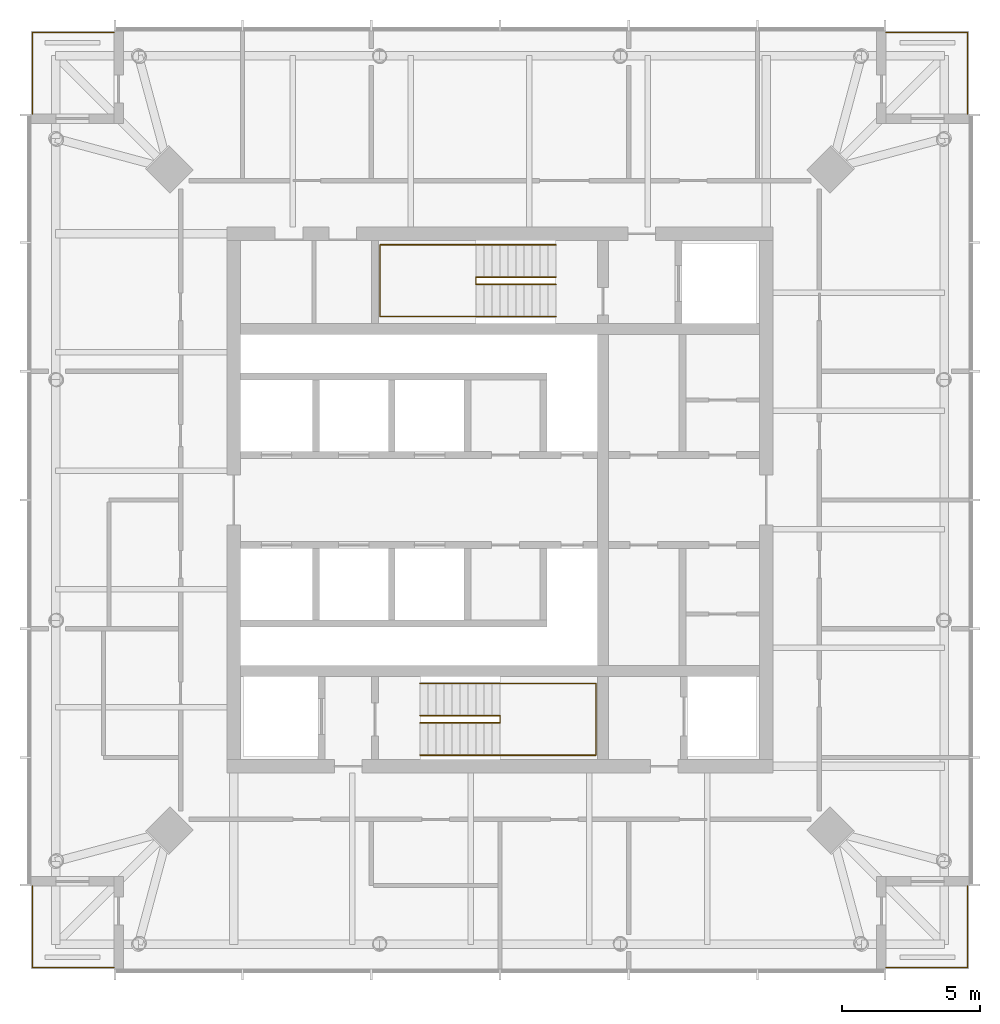
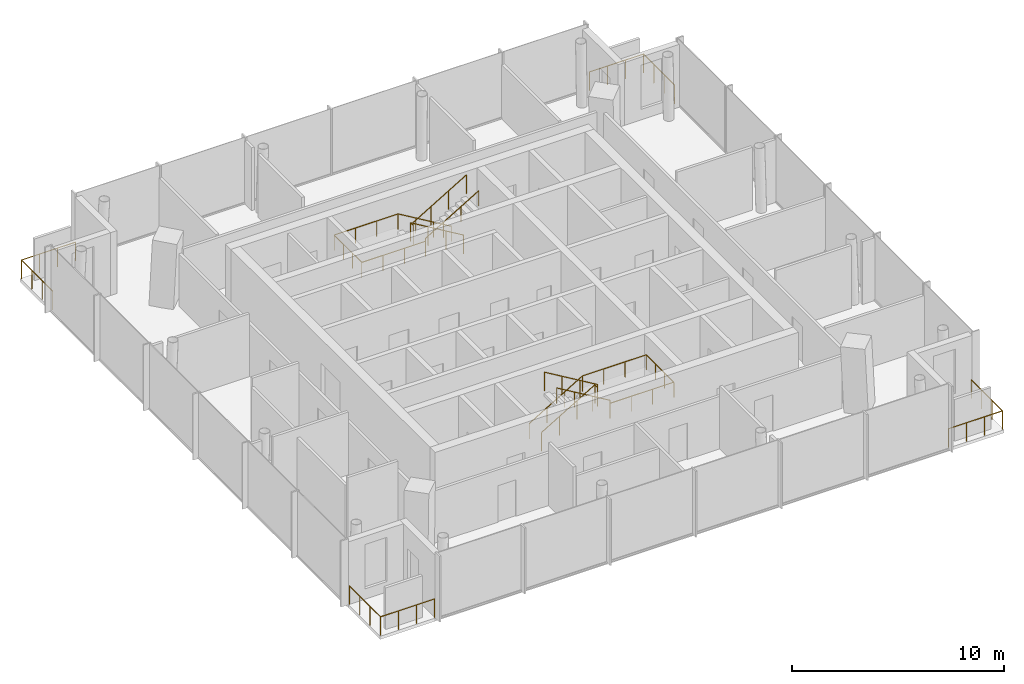
# One storey, part 7 of 7: 8 railings.
"""IFC4 building model written with IfcOpenShell, lengths in metres."""

from ifc_helpers import new_model, si_unit, direction, frame, origin, origin_2d, place, context, subcontext, project, spatial, circle, extrude, material, type_object, element, save


model = new_model("IFC4")

# Units and contexts
model_context = context("Model", 3, precision=1e-05, world=origin(), true_north=direction((0.0, 1.0)))
body_context = subcontext(model_context, "Body", "Model", "MODEL_VIEW")
ifc_project = project(units=[si_unit("LENGTHUNIT", "METRE"), si_unit("AREAUNIT", "SQUARE_METRE"), si_unit("VOLUMEUNIT", "CUBIC_METRE"), si_unit("PLANEANGLEUNIT", "RADIAN"), si_unit("MASSUNIT", "GRAM", prefix="KILO")], contexts=[model_context])

# Site, building, storey
site_placement = place(None, origin())
site = spatial("IfcSite", under=ifc_project, at=site_placement, CompositionType="ELEMENT")
building_placement = place(site_placement, origin())
building = spatial("IfcBuilding", under=site, at=building_placement, Name="Ostroluk Exchange", CompositionType="ELEMENT")
storey_placement = place(building_placement, frame((0.0, 0.0, 268.0)))
storey = spatial("IfcBuildingStorey", under=building, at=storey_placement, Name="L69", CompositionType="ELEMENT", Elevation=268.0)

# Railings
ifc_material_1 = material(Name="Stainless steel", Category="steel")
railing_type_1 = type_object("IfcRailingType", Name="Guard 1100 stainless steel", PredefinedType="GUARDRAIL", material=ifc_material_1)
railing_1_placement = place(storey_placement, frame((59.0, 29.050048828125, 0.0)))
element("IfcRailing", 1, at=railing_1_placement, inside=storey, type_object=railing_type_1, Name="Office tower SE balcony guard L69", PredefinedType="GUARDRAIL", context=body_context, shape_type="SweptSolid", body=[
    extrude(circle(Radius=0.02392578125, at=origin_2d()), frame((0.0, 0.0, 1.076171875), z_axis=(1.0, 0.0, 0.0), x_axis=(0.0, 1.0, 0.0)), (0.0, 0.0, 1.0), 2.949951171875),
    extrude(circle(Radius=0.02392578125, at=origin_2d()), frame((2.949951171875, 0.0, 1.076171875), z_axis=(0.0, 1.0, 0.0), x_axis=(-1.0, 0.0, 0.0)), (0.0, 0.0, 1.0), 2.949951171875),
    extrude(circle(Radius=0.02099609375, at=origin_2d()), origin(), (0.0, 0.0, 1.0), 1.052001953125),
    extrude(circle(Radius=0.02099609375, at=origin_2d()), frame((0.9833984375, 0.0, 0.0)), (0.0, 0.0, 1.0), 1.052001953125),
    extrude(circle(Radius=0.02099609375, at=origin_2d()), frame((1.966552734375, 0.0, 0.0)), (0.0, 0.0, 1.0), 1.052001953125),
    extrude(circle(Radius=0.02099609375, at=origin_2d()), frame((2.949951171875, 0.0, 0.0)), (0.0, 0.0, 1.0), 1.052001953125),
    extrude(circle(Radius=0.02099609375, at=origin_2d()), frame((2.949951171875, 0.9833984375, 0.0)), (0.0, 0.0, 1.0), 1.052001953125),
    extrude(circle(Radius=0.02099609375, at=origin_2d()), frame((2.949951171875, 1.966552734375, 0.0)), (0.0, 0.0, 1.0), 1.052001953125),
    extrude(circle(Radius=0.02099609375, at=origin_2d()), frame((2.949951171875, 2.949951171875, 0.0)), (0.0, 0.0, 1.0), 1.052001953125),
])
railing_2_placement = place(storey_placement, frame((59.0, 62.949951171875, 0.0)))
element("IfcRailing", 2, at=railing_2_placement, inside=storey, type_object=railing_type_1, Name="Office tower NE balcony guard L69", PredefinedType="GUARDRAIL", context=body_context, shape_type="SweptSolid", body=[
    extrude(circle(Radius=0.02392578125, at=origin_2d()), frame((0.0, 0.0, 1.076171875), z_axis=(1.0, 0.0, 0.0), x_axis=(0.0, 1.0, 0.0)), (0.0, 0.0, 1.0), 2.949951171875),
    extrude(circle(Radius=0.02392578125, at=origin_2d()), frame((2.949951171875, 0.0, 1.076171875), z_axis=(0.0, -1.0, 0.0), x_axis=(1.0, 0.0, 0.0)), (0.0, 0.0, 1.0), 2.949951171875),
    extrude(circle(Radius=0.02099609375, at=origin_2d()), origin(), (0.0, 0.0, 1.0), 1.052001953125),
    extrude(circle(Radius=0.02099609375, at=origin_2d()), frame((0.9833984375, 0.0, 0.0)), (0.0, 0.0, 1.0), 1.052001953125),
    extrude(circle(Radius=0.02099609375, at=origin_2d()), frame((1.966552734375, 0.0, 0.0)), (0.0, 0.0, 1.0), 1.052001953125),
    extrude(circle(Radius=0.02099609375, at=origin_2d()), frame((2.949951171875, 0.0, 0.0)), (0.0, 0.0, 1.0), 1.052001953125),
    extrude(circle(Radius=0.02099609375, at=origin_2d()), frame((2.949951171875, -0.9833984375, 0.0)), (0.0, 0.0, 1.0), 1.052001953125),
    extrude(circle(Radius=0.02099609375, at=origin_2d()), frame((2.949951171875, -1.966552734375, 0.0)), (0.0, 0.0, 1.0), 1.052001953125),
    extrude(circle(Radius=0.02099609375, at=origin_2d()), frame((2.949951171875, -2.949951171875, 0.0)), (0.0, 0.0, 1.0), 1.052001953125),
])
railing_3_placement = place(storey_placement, frame((31.0, 62.949951171875, 0.0)))
element("IfcRailing", 3, at=railing_3_placement, inside=storey, type_object=railing_type_1, Name="Office tower NW balcony guard L69", PredefinedType="GUARDRAIL", context=body_context, shape_type="SweptSolid", body=[
    extrude(circle(Radius=0.02392578125, at=origin_2d()), frame((0.0, 0.0, 1.076171875), z_axis=(-1.0, 0.0, 0.0), x_axis=(0.0, -1.0, 0.0)), (0.0, 0.0, 1.0), 2.949951171875),
    extrude(circle(Radius=0.02392578125, at=origin_2d()), frame((-2.949951171875, 0.0, 1.076171875), z_axis=(0.0, -1.0, 0.0), x_axis=(1.0, 0.0, 0.0)), (0.0, 0.0, 1.0), 2.949951171875),
    extrude(circle(Radius=0.02099609375, at=origin_2d()), origin(), (0.0, 0.0, 1.0), 1.052001953125),
    extrude(circle(Radius=0.02099609375, at=origin_2d()), frame((-0.9833984375, 0.0, 0.0)), (0.0, 0.0, 1.0), 1.052001953125),
    extrude(circle(Radius=0.02099609375, at=origin_2d()), frame((-1.966552734375, 0.0, 0.0)), (0.0, 0.0, 1.0), 1.052001953125),
    extrude(circle(Radius=0.02099609375, at=origin_2d()), frame((-2.949951171875, 0.0, 0.0)), (0.0, 0.0, 1.0), 1.052001953125),
    extrude(circle(Radius=0.02099609375, at=origin_2d()), frame((-2.949951171875, -0.9833984375, 0.0)), (0.0, 0.0, 1.0), 1.052001953125),
    extrude(circle(Radius=0.02099609375, at=origin_2d()), frame((-2.949951171875, -1.966552734375, 0.0)), (0.0, 0.0, 1.0), 1.052001953125),
    extrude(circle(Radius=0.02099609375, at=origin_2d()), frame((-2.949951171875, -2.949951171875, 0.0)), (0.0, 0.0, 1.0), 1.052001953125),
])
railing_4_placement = place(storey_placement, frame((31.0, 29.050048828125, 0.0)))
element("IfcRailing", 4, at=railing_4_placement, inside=storey, type_object=railing_type_1, Name="Office tower SW balcony guard L69", PredefinedType="GUARDRAIL", context=body_context, shape_type="SweptSolid", body=[
    extrude(circle(Radius=0.02392578125, at=origin_2d()), frame((0.0, 0.0, 1.076171875), z_axis=(-1.0, 0.0, 0.0), x_axis=(0.0, -1.0, 0.0)), (0.0, 0.0, 1.0), 2.949951171875),
    extrude(circle(Radius=0.02392578125, at=origin_2d()), frame((-2.949951171875, 0.0, 1.076171875), z_axis=(0.0, 1.0, 0.0), x_axis=(-1.0, 0.0, 0.0)), (0.0, 0.0, 1.0), 2.949951171875),
    extrude(circle(Radius=0.02099609375, at=origin_2d()), origin(), (0.0, 0.0, 1.0), 1.052001953125),
    extrude(circle(Radius=0.02099609375, at=origin_2d()), frame((-0.9833984375, 0.0, 0.0)), (0.0, 0.0, 1.0), 1.052001953125),
    extrude(circle(Radius=0.02099609375, at=origin_2d()), frame((-1.966552734375, 0.0, 0.0)), (0.0, 0.0, 1.0), 1.052001953125),
    extrude(circle(Radius=0.02099609375, at=origin_2d()), frame((-2.949951171875, 0.0, 0.0)), (0.0, 0.0, 1.0), 1.052001953125),
    extrude(circle(Radius=0.02099609375, at=origin_2d()), frame((-2.949951171875, 0.9833984375, 0.0)), (0.0, 0.0, 1.0), 1.052001953125),
    extrude(circle(Radius=0.02099609375, at=origin_2d()), frame((-2.949951171875, 1.966552734375, 0.0)), (0.0, 0.0, 1.0), 1.052001953125),
    extrude(circle(Radius=0.02099609375, at=origin_2d()), frame((-2.949951171875, 2.949951171875, 0.0)), (0.0, 0.0, 1.0), 1.052001953125),
])
ifc_material_2 = material(Name="Steel S355", Category="steel")
railing_type_2 = type_object("IfcRailingType", Name="Stair guard 1100", PredefinedType="GUARDRAIL", material=ifc_material_2)
railing_5_placement = place(storey_placement, frame((42.10009765625, 38.179931640625, 0.172607421875)))
element("IfcRailing", 5, at=railing_5_placement, inside=storey, type_object=railing_type_2, Name="Stair T1-S1 guard L69", PredefinedType="GUARDRAIL", context=body_context, shape_type="SweptSolid", body=[
    extrude(circle(Radius=0.02392578125, at=origin_2d()), frame((0.0, 0.0, 1.076171875), z_axis=(0.859141464434, 0.0, 0.511738159696), x_axis=(0.0, 1.0, 0.0)), (0.0, 0.0, 1.0), 3.375244140625),
    extrude(circle(Radius=0.02392578125, at=origin_2d()), frame((2.89990234375, 0.0, 2.80322265625), z_axis=(0.0, -1.0, 0.0), x_axis=(1.0, 0.0, 0.0)), (0.0, 0.0, 1.0), 0.260009765625),
    extrude(circle(Radius=0.02392578125, at=origin_2d()), frame((2.89990234375, -0.260009765625, 2.80322265625), z_axis=(0.0, 0.0, 1.0), x_axis=(1.0, 0.0, 0.0)), (0.0, 0.0, 1.0), 0.1728515625),
    extrude(circle(Radius=0.02392578125, at=origin_2d()), frame((2.89990234375, -0.260009765625, 2.97607421875), z_axis=(-0.859141464434, 0.0, 0.511738159696), x_axis=(0.0, -1.0, 0.0)), (0.0, 0.0, 1.0), 3.375244140625),
    extrude(circle(Radius=0.02099609375, at=origin_2d()), origin(), (0.0, 0.0, 1.0), 1.052001953125),
    extrude(circle(Radius=0.02099609375, at=origin_2d()), frame((0.966552734375, 0.0, 0.57568359375)), (0.0, 0.0, 1.0), 1.052001953125),
    extrude(circle(Radius=0.02099609375, at=origin_2d()), frame((1.933349609375, 0.0, 1.151611328125)), (0.0, 0.0, 1.0), 1.052001953125),
    extrude(circle(Radius=0.02099609375, at=origin_2d()), frame((2.89990234375, 0.0, 1.727294921875)), (0.0, 0.0, 1.0), 1.052001953125),
    extrude(circle(Radius=0.02099609375, at=origin_2d()), frame((2.89990234375, -0.260009765625, 1.727294921875)), (0.0, 0.0, 1.0), 1.052001953125),
    extrude(circle(Radius=0.02099609375, at=origin_2d()), frame((2.89990234375, -0.260009765625, 1.900146484375)), (0.0, 0.0, 1.0), 1.052001953125),
    extrude(circle(Radius=0.02099609375, at=origin_2d()), frame((1.933349609375, -0.260009765625, 2.475830078125)), (0.0, 0.0, 1.0), 1.052001953125),
    extrude(circle(Radius=0.02099609375, at=origin_2d()), frame((0.966552734375, -0.260009765625, 3.0517578125)), (0.0, 0.0, 1.0), 1.052001953125),
    extrude(circle(Radius=0.02099609375, at=origin_2d()), frame((0.0, -0.260009765625, 3.62744140625)), (0.0, 0.0, 1.0), 1.052001953125),
])
railing_6_placement = place(storey_placement, frame((47.030029296875, 54.080078125, 0.172607421875)))
element("IfcRailing", 6, at=railing_6_placement, inside=storey, type_object=railing_type_2, Name="Stair T1-S2 guard L69", PredefinedType="GUARDRAIL", context=body_context, shape_type="SweptSolid", body=[
    extrude(circle(Radius=0.02392578125, at=origin_2d()), frame((0.0, 0.0, 1.076171875), z_axis=(-0.859160404282, 0.0, 0.51170636083), x_axis=(0.0, -1.0, 0.0)), (0.0, 0.0, 1.0), 3.37548828125),
    extrude(circle(Radius=0.02392578125, at=origin_2d()), frame((-2.900146484375, 0.0, 2.80322265625), z_axis=(0.0, -1.0, 0.0), x_axis=(1.0, 0.0, 0.0)), (0.0, 0.0, 1.0), 0.260009765625),
    extrude(circle(Radius=0.02392578125, at=origin_2d()), frame((-2.900146484375, -0.260009765625, 2.80322265625), z_axis=(0.0, 0.0, 1.0), x_axis=(1.0, 0.0, 0.0)), (0.0, 0.0, 1.0), 0.1728515625),
    extrude(circle(Radius=0.02392578125, at=origin_2d()), frame((-2.900146484375, -0.260009765625, 2.97607421875), z_axis=(0.859160404282, 0.0, 0.51170636083), x_axis=(0.0, 1.0, 0.0)), (0.0, 0.0, 1.0), 3.37548828125),
    extrude(circle(Radius=0.02099609375, at=origin_2d()), origin(), (0.0, 0.0, 1.0), 1.052001953125),
    extrude(circle(Radius=0.02099609375, at=origin_2d()), frame((-0.966796875, 0.0, 0.57568359375)), (0.0, 0.0, 1.0), 1.052001953125),
    extrude(circle(Radius=0.02099609375, at=origin_2d()), frame((-1.933349609375, 0.0, 1.151611328125)), (0.0, 0.0, 1.0), 1.052001953125),
    extrude(circle(Radius=0.02099609375, at=origin_2d()), frame((-2.900146484375, 0.0, 1.727294921875)), (0.0, 0.0, 1.0), 1.052001953125),
    extrude(circle(Radius=0.02099609375, at=origin_2d()), frame((-2.900146484375, -0.260009765625, 1.727294921875)), (0.0, 0.0, 1.0), 1.052001953125),
    extrude(circle(Radius=0.02099609375, at=origin_2d()), frame((-2.900146484375, -0.260009765625, 1.900146484375)), (0.0, 0.0, 1.0), 1.052001953125),
    extrude(circle(Radius=0.02099609375, at=origin_2d()), frame((-1.933349609375, -0.260009765625, 2.475830078125)), (0.0, 0.0, 1.0), 1.052001953125),
    extrude(circle(Radius=0.02099609375, at=origin_2d()), frame((-0.966796875, -0.260009765625, 3.0517578125)), (0.0, 0.0, 1.0), 1.052001953125),
    extrude(circle(Radius=0.02099609375, at=origin_2d()), frame((0.0, -0.260009765625, 3.62744140625)), (0.0, 0.0, 1.0), 1.052001953125),
])
ifc_material_3 = material(Name="Stainless steel", Category="steel")
railing_type_3 = type_object("IfcRailingType", Name="Stair handrail 900", PredefinedType="HANDRAIL", material=ifc_material_3)
railing_7_placement = place(storey_placement, frame((42.10009765625, 39.35009765625, 0.172607421875)))
element("IfcRailing", 7, at=railing_7_placement, inside=storey, type_object=railing_type_3, Name="Stair T1-S1 handrail L69", PredefinedType="HANDRAIL", context=body_context, shape_type="SweptSolid", body=[
    extrude(circle(Radius=0.02392578125, at=origin_2d()), frame((0.0, 0.0, 0.8759765625), z_axis=(0.859141464434, 0.0, 0.511738159696), x_axis=(0.0, 1.0, 0.0)), (0.0, 0.0, 1.0), 3.375244140625),
    extrude(circle(Radius=0.02392578125, at=origin_2d()), frame((2.89990234375, 0.0, 2.60302734375), z_axis=(1.0, 0.0, 0.0), x_axis=(0.0, 1.0, 0.0)), (0.0, 0.0, 1.0), 3.47998046875),
    extrude(circle(Radius=0.02392578125, at=origin_2d()), frame((6.3798828125, 0.0, 2.60302734375), z_axis=(0.0, -1.0, 0.0), x_axis=(1.0, 0.0, 0.0)), (0.0, 0.0, 1.0), 2.60009765625),
    extrude(circle(Radius=0.02392578125, at=origin_2d()), frame((6.3798828125, -2.60009765625, 2.60302734375), z_axis=(-1.0, 0.0, 0.0), x_axis=(0.0, -1.0, 0.0)), (0.0, 0.0, 1.0), 3.47998046875),
    extrude(circle(Radius=0.02392578125, at=origin_2d()), frame((2.89990234375, -2.60009765625, 2.60302734375), z_axis=(0.0, 0.0, 1.0), x_axis=(1.0, 0.0, 0.0)), (0.0, 0.0, 1.0), 0.1728515625),
    extrude(circle(Radius=0.02392578125, at=origin_2d()), frame((2.89990234375, -2.60009765625, 2.77587890625), z_axis=(-0.859141464434, 0.0, 0.511738159696), x_axis=(0.0, -1.0, 0.0)), (0.0, 0.0, 1.0), 3.375244140625),
    extrude(circle(Radius=0.02099609375, at=origin_2d()), origin(), (0.0, 0.0, 1.0), 0.851806640625),
    extrude(circle(Radius=0.02099609375, at=origin_2d()), frame((0.966552734375, 0.0, 0.57568359375)), (0.0, 0.0, 1.0), 0.851806640625),
    extrude(circle(Radius=0.02099609375, at=origin_2d()), frame((1.933349609375, 0.0, 1.151611328125)), (0.0, 0.0, 1.0), 0.851806640625),
    extrude(circle(Radius=0.02099609375, at=origin_2d()), frame((2.89990234375, 0.0, 1.727294921875)), (0.0, 0.0, 1.0), 0.851806640625),
    extrude(circle(Radius=0.02099609375, at=origin_2d()), frame((4.059814453125, 0.0, 1.727294921875)), (0.0, 0.0, 1.0), 0.851806640625),
    extrude(circle(Radius=0.02099609375, at=origin_2d()), frame((5.219970703125, 0.0, 1.727294921875)), (0.0, 0.0, 1.0), 0.851806640625),
    extrude(circle(Radius=0.02099609375, at=origin_2d()), frame((6.3798828125, 0.0, 1.727294921875)), (0.0, 0.0, 1.0), 0.851806640625),
    extrude(circle(Radius=0.02099609375, at=origin_2d()), frame((6.3798828125, -0.86669921875, 1.727294921875)), (0.0, 0.0, 1.0), 0.851806640625),
    extrude(circle(Radius=0.02099609375, at=origin_2d()), frame((6.3798828125, -1.7333984375, 1.727294921875)), (0.0, 0.0, 1.0), 0.851806640625),
    extrude(circle(Radius=0.02099609375, at=origin_2d()), frame((6.3798828125, -2.60009765625, 1.727294921875)), (0.0, 0.0, 1.0), 0.851806640625),
    extrude(circle(Radius=0.02099609375, at=origin_2d()), frame((5.219970703125, -2.60009765625, 1.727294921875)), (0.0, 0.0, 1.0), 0.851806640625),
    extrude(circle(Radius=0.02099609375, at=origin_2d()), frame((4.059814453125, -2.60009765625, 1.727294921875)), (0.0, 0.0, 1.0), 0.851806640625),
    extrude(circle(Radius=0.02099609375, at=origin_2d()), frame((2.89990234375, -2.60009765625, 1.727294921875)), (0.0, 0.0, 1.0), 0.851806640625),
    extrude(circle(Radius=0.02099609375, at=origin_2d()), frame((2.89990234375, -2.60009765625, 1.900146484375)), (0.0, 0.0, 1.0), 0.851806640625),
    extrude(circle(Radius=0.02099609375, at=origin_2d()), frame((1.933349609375, -2.60009765625, 2.475830078125)), (0.0, 0.0, 1.0), 0.851806640625),
    extrude(circle(Radius=0.02099609375, at=origin_2d()), frame((0.966552734375, -2.60009765625, 3.0517578125)), (0.0, 0.0, 1.0), 0.851806640625),
    extrude(circle(Radius=0.02099609375, at=origin_2d()), frame((0.0, -2.60009765625, 3.62744140625)), (0.0, 0.0, 1.0), 0.851806640625),
])
railing_8_placement = place(storey_placement, frame((47.030029296875, 55.25, 0.172607421875)))
element("IfcRailing", 8, at=railing_8_placement, inside=storey, type_object=railing_type_3, Name="Stair T1-S2 handrail L69", PredefinedType="HANDRAIL", context=body_context, shape_type="SweptSolid", body=[
    extrude(circle(Radius=0.02392578125, at=origin_2d()), frame((0.0, 0.0, 0.8759765625), z_axis=(-0.859160404282, 0.0, 0.51170636083), x_axis=(0.0, -1.0, 0.0)), (0.0, 0.0, 1.0), 3.37548828125),
    extrude(circle(Radius=0.02392578125, at=origin_2d()), frame((-2.900146484375, 0.0, 2.60302734375), z_axis=(-1.0, 0.0, 0.0), x_axis=(0.0, -1.0, 0.0)), (0.0, 0.0, 1.0), 3.47998046875),
    extrude(circle(Radius=0.02392578125, at=origin_2d()), frame((-6.380126953125, 0.0, 2.60302734375), z_axis=(0.0, -1.0, 0.0), x_axis=(1.0, 0.0, 0.0)), (0.0, 0.0, 1.0), 2.60009765625),
    extrude(circle(Radius=0.02392578125, at=origin_2d()), frame((-6.380126953125, -2.60009765625, 2.60302734375), z_axis=(1.0, 0.0, 0.0), x_axis=(0.0, 1.0, 0.0)), (0.0, 0.0, 1.0), 3.47998046875),
    extrude(circle(Radius=0.02392578125, at=origin_2d()), frame((-2.900146484375, -2.60009765625, 2.60302734375), z_axis=(0.0, 0.0, 1.0), x_axis=(1.0, 0.0, 0.0)), (0.0, 0.0, 1.0), 0.1728515625),
    extrude(circle(Radius=0.02392578125, at=origin_2d()), frame((-2.900146484375, -2.60009765625, 2.77587890625), z_axis=(0.859160404282, 0.0, 0.51170636083), x_axis=(0.0, 1.0, 0.0)), (0.0, 0.0, 1.0), 3.37548828125),
    extrude(circle(Radius=0.02099609375, at=origin_2d()), origin(), (0.0, 0.0, 1.0), 0.851806640625),
    extrude(circle(Radius=0.02099609375, at=origin_2d()), frame((-0.966796875, 0.0, 0.57568359375)), (0.0, 0.0, 1.0), 0.851806640625),
    extrude(circle(Radius=0.02099609375, at=origin_2d()), frame((-1.933349609375, 0.0, 1.151611328125)), (0.0, 0.0, 1.0), 0.851806640625),
    extrude(circle(Radius=0.02099609375, at=origin_2d()), frame((-2.900146484375, 0.0, 1.727294921875)), (0.0, 0.0, 1.0), 0.851806640625),
    extrude(circle(Radius=0.02099609375, at=origin_2d()), frame((-4.06005859375, 0.0, 1.727294921875)), (0.0, 0.0, 1.0), 0.851806640625),
    extrude(circle(Radius=0.02099609375, at=origin_2d()), frame((-5.22021484375, 0.0, 1.727294921875)), (0.0, 0.0, 1.0), 0.851806640625),
    extrude(circle(Radius=0.02099609375, at=origin_2d()), frame((-6.380126953125, 0.0, 1.727294921875)), (0.0, 0.0, 1.0), 0.851806640625),
    extrude(circle(Radius=0.02099609375, at=origin_2d()), frame((-6.380126953125, -0.86669921875, 1.727294921875)), (0.0, 0.0, 1.0), 0.851806640625),
    extrude(circle(Radius=0.02099609375, at=origin_2d()), frame((-6.380126953125, -1.7333984375, 1.727294921875)), (0.0, 0.0, 1.0), 0.851806640625),
    extrude(circle(Radius=0.02099609375, at=origin_2d()), frame((-6.380126953125, -2.60009765625, 1.727294921875)), (0.0, 0.0, 1.0), 0.851806640625),
    extrude(circle(Radius=0.02099609375, at=origin_2d()), frame((-5.22021484375, -2.60009765625, 1.727294921875)), (0.0, 0.0, 1.0), 0.851806640625),
    extrude(circle(Radius=0.02099609375, at=origin_2d()), frame((-4.06005859375, -2.60009765625, 1.727294921875)), (0.0, 0.0, 1.0), 0.851806640625),
    extrude(circle(Radius=0.02099609375, at=origin_2d()), frame((-2.900146484375, -2.60009765625, 1.727294921875)), (0.0, 0.0, 1.0), 0.851806640625),
    extrude(circle(Radius=0.02099609375, at=origin_2d()), frame((-2.900146484375, -2.60009765625, 1.900146484375)), (0.0, 0.0, 1.0), 0.851806640625),
    extrude(circle(Radius=0.02099609375, at=origin_2d()), frame((-1.933349609375, -2.60009765625, 2.475830078125)), (0.0, 0.0, 1.0), 0.851806640625),
    extrude(circle(Radius=0.02099609375, at=origin_2d()), frame((-0.966796875, -2.60009765625, 3.0517578125)), (0.0, 0.0, 1.0), 0.851806640625),
    extrude(circle(Radius=0.02099609375, at=origin_2d()), frame((0.0, -2.60009765625, 3.62744140625)), (0.0, 0.0, 1.0), 0.851806640625),
])

save(model, "model.ifc")
